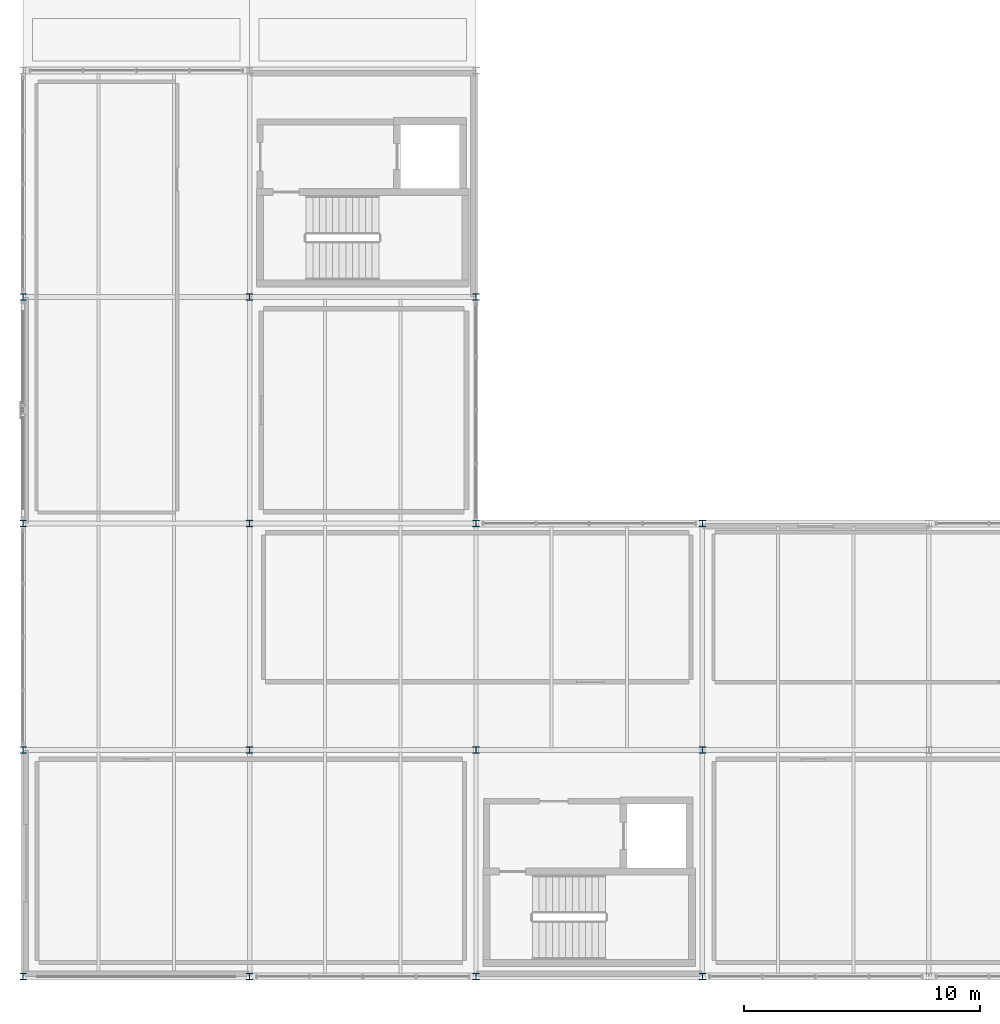
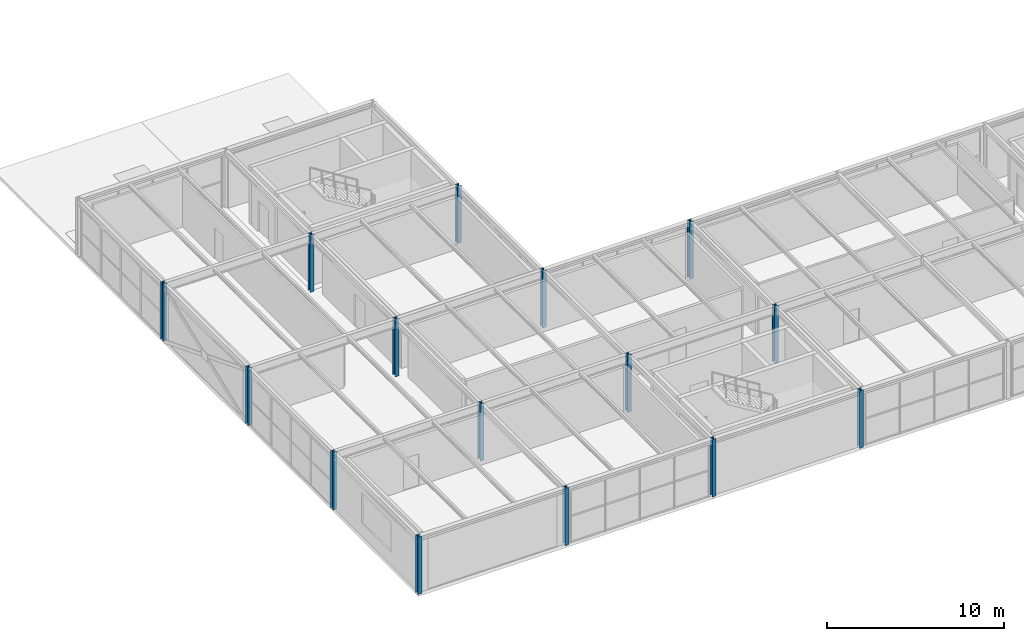
# One storey, part 1 of 39: 15 columns.
"""IFC4 building model written with IfcOpenShell, lengths in metres."""

from ifc_helpers import new_model, si_unit, direction, frame, origin, origin_2d, place, context, subcontext, project, spatial, i_section, extrude, material, material_profile, profile_set, type_object, element, save


model = new_model("IFC4")

# Units and contexts
model_context = context("Model", 3, precision=1e-05, world=origin(), true_north=direction((0.0, 1.0)))
body_context = subcontext(model_context, "Body", "Model", "MODEL_VIEW")
ifc_project = project(units=[si_unit("LENGTHUNIT", "METRE"), si_unit("AREAUNIT", "SQUARE_METRE"), si_unit("VOLUMEUNIT", "CUBIC_METRE"), si_unit("PLANEANGLEUNIT", "RADIAN"), si_unit("MASSUNIT", "GRAM", prefix="KILO")], contexts=[model_context])

# Site, building, storey
site_placement = place(None, origin())
site = spatial("IfcSite", under=ifc_project, at=site_placement, CompositionType="ELEMENT")
building_placement = place(site_placement, origin())
building = spatial("IfcBuilding", under=site, at=building_placement, Name="Coralgate Yard Interchange", CompositionType="ELEMENT")
storey_placement = place(building_placement, frame((0.0, 0.0, 18.89990234375)))
storey = spatial("IfcBuildingStorey", under=building, at=storey_placement, Name="L04", CompositionType="ELEMENT", Elevation=18.89990234375)

# Columns
ifc_material = material(Name="Structural steel S355J2", Category="steel")
ifc_material_profile = material_profile(ifc_material, i_section(OverallWidth=0.2587890625, OverallDepth=0.2666015625, WebThickness=0.0126953125, FlangeThickness=0.0205078125, FilletRadius=0.0126953125, at=origin_2d()), Name="UC 254x254x107")
ifc_profile_set = profile_set([ifc_material_profile], Name="Structural steel S355J2")
column_type = type_object("IfcColumnType", Name="COL-SC-7", PredefinedType="COLUMN", material=ifc_profile_set)
for number, where, z_axis, x_axis, name in (
    (1, (0.0, 0.0, 0.0), (0.0, 0.0, 1.0), (1.0, 0.0, 0.0), "L04 structural column 0-0"),
    (2, (0.0, 9.60009765625, 0.0), (0.0, 0.0, 1.0), (1.0, 0.0, 0.0), "L04 structural column 0-1"),
    (3, (0.0, 19.199951171875, 0.0), (0.0, 0.0, 1.0), (1.0, 0.0, 0.0), "L04 structural column 0-2"),
    (4, (0.0, 28.800048828125, 0.0), (0.0, 0.0, 1.0), (1.0, 0.0, 0.0), "L04 structural column 0-3"),
    (5, (9.60009765625, 0.0, 0.0), (0.0, 0.0, 1.0), (1.0, 0.0, 0.0), "L04 structural column 1-0"),
    (6, (9.60009765625, 9.60009765625, 0.0), (0.0, 0.0, 1.0), (1.0, 0.0, 0.0), "L04 structural column 1-1"),
    (7, (9.60009765625, 19.199951171875, 0.0), (0.0, 0.0, 1.0), (1.0, 0.0, 0.0), "L04 structural column 1-2"),
    (8, (9.60009765625, 28.800048828125, 0.0), (0.0, 0.0, 1.0), (1.0, 0.0, 0.0), "L04 structural column 1-3"),
    (9, (19.199951171875, 0.0, 0.0), (0.0, 0.0, 1.0), (1.0, 0.0, 0.0), "L04 structural column 2-0"),
    (10, (19.199951171875, 9.60009765625, 0.0), (0.0, 0.0, 1.0), (1.0, 0.0, 0.0), "L04 structural column 2-1"),
    (11, (19.199951171875, 19.199951171875, 0.0), (0.0, 0.0, 1.0), (1.0, 0.0, 0.0), "L04 structural column 2-2"),
    (12, (19.199951171875, 28.800048828125, 0.0), (0.0, 0.0, 1.0), (1.0, 0.0, 0.0), "L04 structural column 2-3"),
    (13, (28.800048828125, 0.0, 0.0), (0.0, 0.0, 1.0), (1.0, 0.0, 0.0), "L04 structural column 3-0"),
    (14, (28.800048828125, 9.60009765625, 0.0), (0.0, 0.0, 1.0), (1.0, 0.0, 0.0), "L04 structural column 3-1"),
    (15, (28.800048828125, 19.199951171875, 0.0), (0.0, 0.0, 1.0), (1.0, 0.0, 0.0), "L04 structural column 3-2"),
):
    element("IfcColumn", number, at=place(storey_placement, frame(where, z_axis=z_axis, x_axis=x_axis)), inside=storey, type_object=column_type, Name=name, PredefinedType="COLUMN", context=body_context, shape_type="SweptSolid", body=[
        extrude(i_section(OverallWidth=0.2587890625, OverallDepth=0.2666015625, WebThickness=0.0126953125, FlangeThickness=0.0205078125, FilletRadius=0.0126953125, at=origin_2d()), origin(), (0.0, 0.0, 1.0), 3.9501953125),
    ])

save(model, "model.ifc")
